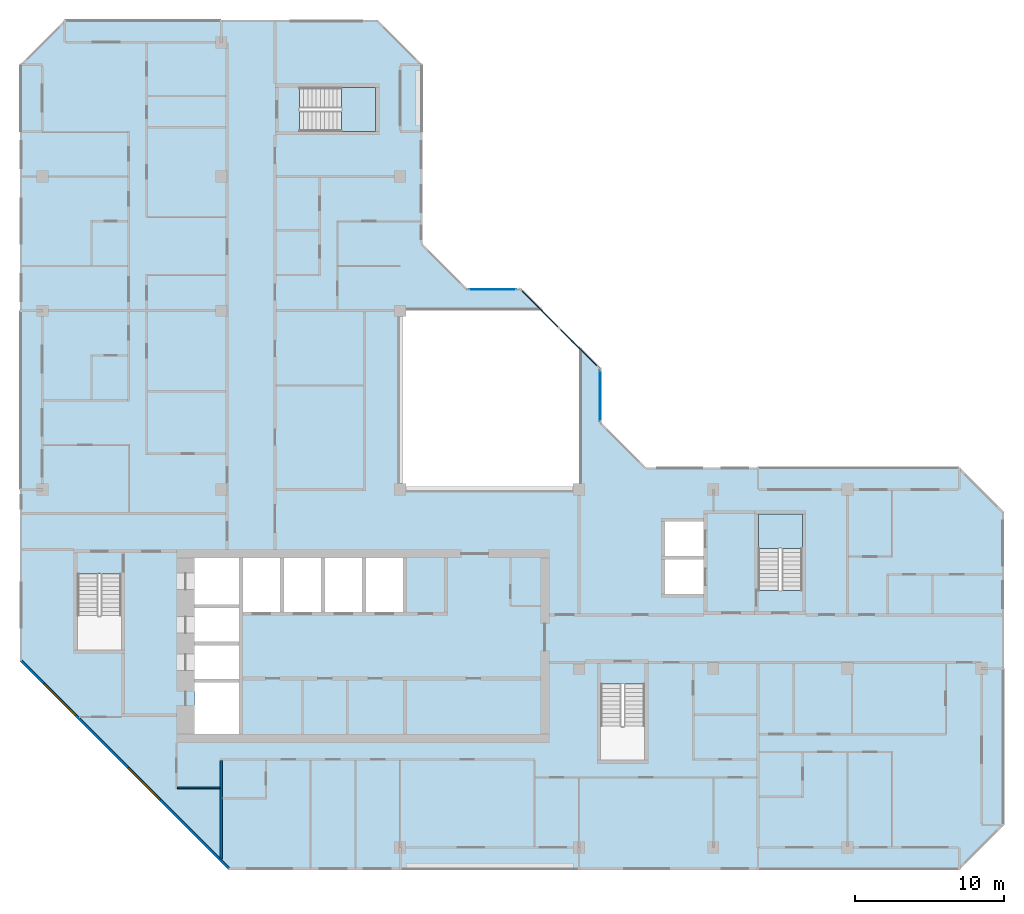
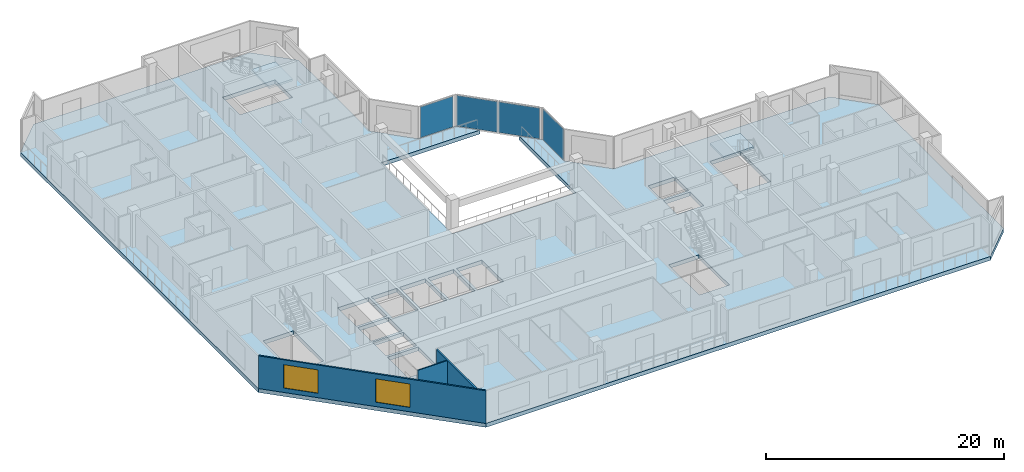
# One storey, part 3 of 13: 4 plates, 3 slabs, 3 walls, 2 windows, 2 openings, 5 elements without a shape of their own.
"""IFC4 building model written with IfcOpenShell, lengths in metres."""

import ifcopenshell
import ifcopenshell.guid

model = None  # the IFC model being written
_history = None  # IfcOwnerHistory: only IFC2X3 demands one
_inside = {}  # id of a spatial element -> (the spatial element, [elements in it])
_under = {}  # id of a project, library or spatial element -> (it, [spatial elements below it])
_declared = {}  # id of a project -> (the project, [libraries it declares])
_typed = {}  # id of a type object -> (the type object, [elements of that type])
_made_of = {}  # id of a material, layer set ... -> (it, [elements and type objects made of it])


def new_model(schema):
    """Start an empty IFC model of exactly this schema.

    Asked for "IFC4X3", IfcOpenShell would pick the latest addendum, in which some entities
    have other attributes; the version numbers below select the first issue.
    IFC2X3 requires an IfcOwnerHistory on every rooted entity: one is made here for all.
    """
    global model, _history
    if schema == "IFC4X3":
        model = ifcopenshell.file(schema_version=(4, 3, 0, 0))
    else:
        model = ifcopenshell.file(schema=schema)
    _inside.clear()
    _under.clear()
    _declared.clear()
    _typed.clear()
    _made_of.clear()
    _history = None
    if model.schema == "IFC2X3":
        org = make("IfcOrganization", Name="unknown")
        user = make(
            "IfcPersonAndOrganization",
            ThePerson=make("IfcPerson", FamilyName="unknown"),
            TheOrganization=org,
        )
        app = make(
            "IfcApplication",
            ApplicationDeveloper=org,
            Version="unknown",
            ApplicationFullName="unknown",
            ApplicationIdentifier="unknown",
        )
        _history = make(
            "IfcOwnerHistory",
            OwningUser=user,
            OwningApplication=app,
            ChangeAction="ADDED",
            CreationDate=0,
        )
    return model


def make(cls, **values):
    """One entity of the class cls with the attributes given. An attribute that is None is left unset."""
    return model.create_entity(
        cls, **{name: value for name, value in values.items() if value is not None}
    )


def rooted(cls, **values):
    """An entity with a GlobalId (a new one), such as an element, a storey or a relation."""
    return make(cls, GlobalId=ifcopenshell.guid.new(), OwnerHistory=_history, **values)


def si_unit(unit_type, name, prefix=None):
    """IfcSIUnit, for example si_unit("LENGTHUNIT", "METRE", prefix="MILLI")."""
    return make("IfcSIUnit", UnitType=unit_type, Prefix=prefix, Name=name)


def assignment(units):
    """IfcUnitAssignment: the units of a project."""
    return None if units is None else make("IfcUnitAssignment", Units=units)


def point(xyz):
    """IfcCartesianPoint."""
    return None if xyz is None else make("IfcCartesianPoint", Coordinates=xyz)


def direction(xyz):
    """IfcDirection."""
    return None if xyz is None else make("IfcDirection", DirectionRatios=xyz)


def frame(location, z_axis=None, x_axis=None):
    """IfcAxis2Placement3D, a coordinate frame: its origin and axes. An axis left out is left unset."""
    return make(
        "IfcAxis2Placement3D",
        Location=point(location),
        Axis=direction(z_axis),
        RefDirection=direction(x_axis),
    )


def frame_2d(location, x_axis=None):
    """IfcAxis2Placement2D, a coordinate frame in the plane: its origin and x axis."""
    return make(
        "IfcAxis2Placement2D", Location=point(location), RefDirection=direction(x_axis)
    )


def origin():
    """The frame at (0, 0, 0) with its axes left unset."""
    return frame((0.0, 0.0, 0.0))


def origin_2d():
    """The frame at (0, 0) in the plane with its x axis left unset."""
    return frame_2d((0.0, 0.0))


def place(relative_to, where):
    """IfcLocalPlacement: puts the frame where relative to a parent placement (None: the world)."""
    return make(
        "IfcLocalPlacement", PlacementRelTo=relative_to, RelativePlacement=where
    )


def context(
    kind, dimensions, precision=None, world=None, true_north=None, identifier=None
):
    """IfcGeometricRepresentationContext, for example the 3D "Model" context."""
    return make(
        "IfcGeometricRepresentationContext",
        ContextIdentifier=identifier,
        ContextType=kind,
        CoordinateSpaceDimension=dimensions,
        Precision=precision,
        WorldCoordinateSystem=world,
        TrueNorth=true_north,
    )


def subcontext(parent, identifier, kind, view, scale=None):
    """IfcGeometricRepresentationSubContext, for example "Body" below "Model"."""
    return make(
        "IfcGeometricRepresentationSubContext",
        ContextIdentifier=identifier,
        ContextType=kind,
        ParentContext=parent,
        TargetScale=scale,
        TargetView=view,
    )


def project(units=None, contexts=None):
    """IfcProject with its units and contexts."""
    return rooted(
        "IfcProject",
        Name="project",
        RepresentationContexts=contexts,
        UnitsInContext=assignment(units),
    )


def spatial(cls, under=None, at=None, **own):
    """A site, building, storey or space (cls), placed at a placement, below another one or the project."""
    s = rooted(cls, ObjectPlacement=at, **own)
    if under is not None:
        _under.setdefault(under.id(), (under, []))[1].append(s)
    return s


def polyline(points):
    """IfcPolyline through the points."""
    return make("IfcPolyline", Points=[point(p) for p in points])


def profile(cls, at=None, kind="AREA", **sizes):
    """A parametric profile (cls). Its sizes go by their IFC names, for example OverallWidth=200.0."""
    return make(cls, ProfileType=kind, Position=at, **sizes)


def rectangle(**sizes):
    """IfcRectangleProfileDef."""
    return profile("IfcRectangleProfileDef", **sizes)


def outline(outer, holes=None, kind="AREA"):
    """IfcArbitraryClosedProfileDef: a profile drawn as a closed curve; with holes, ...WithVoids."""
    if holes is None:
        return make("IfcArbitraryClosedProfileDef", ProfileType=kind, OuterCurve=outer)
    return make(
        "IfcArbitraryProfileDefWithVoids",
        ProfileType=kind,
        OuterCurve=outer,
        InnerCurves=holes,
    )


def extrude(swept, where, along, depth):
    """IfcExtrudedAreaSolid: the profile swept, set in the frame where, extruded along a direction by depth."""
    return make(
        "IfcExtrudedAreaSolid",
        SweptArea=swept,
        Position=where,
        ExtrudedDirection=direction(along),
        Depth=depth,
    )


def shape(context_of_items, identifier, shape_type, items):
    """IfcShapeRepresentation: the items that make up one representation, for example the "Body"."""
    return make(
        "IfcShapeRepresentation",
        ContextOfItems=context_of_items,
        RepresentationIdentifier=identifier,
        RepresentationType=shape_type,
        Items=items,
    )


def material(Name=None, Category=None):
    """IfcMaterial."""
    return make("IfcMaterial", Name=Name, Category=Category)


def layer(
    of_material, thickness, ventilated=None, Name=None, Category=None, Priority=None
):
    """IfcMaterialLayer: one layer of a wall or slab, of a material (None: an air gap)."""
    return make(
        "IfcMaterialLayer",
        Material=of_material,
        LayerThickness=thickness,
        IsVentilated=ventilated,
        Name=Name,
        Category=Category,
        Priority=Priority,
    )


def layer_set(layers, Name=None):
    """IfcMaterialLayerSet."""
    return make("IfcMaterialLayerSet", MaterialLayers=layers, LayerSetName=Name)


def made_of(thing, what):
    """Note that an element or type object is made of a material, layer set ...; save() writes the relation."""
    if what is not None:
        _made_of.setdefault(what.id(), (what, []))[1].append(thing)
    return thing


def type_object(cls, material=None, **own):
    """A type object (cls), such as IfcWallType, which elements share."""
    return made_of(rooted(cls, **own), material)


def element(
    cls,
    number,
    at=None,
    inside=None,
    cuts=None,
    type_object=None,
    material=None,
    context=None,
    identifier="Body",
    shape_type=None,
    held_by="IfcProductDefinitionShape",
    body=None,
    shapes=None,
    **own,
):
    """One element of the class cls, such as IfcWall. Its Tag is "e" and its number.

    at: its placement. inside: the storey or other place that contains it. cuts: it is an
    opening in that element (IfcRelVoidsElement). A single representation is given by context,
    identifier, shape_type and body (its items); several are given by shapes. held_by: the class
    of the entity that holds the representations. save() writes the other relations.
    """
    e = rooted(cls, Tag="e%d" % number, ObjectPlacement=at, **own)
    if body is not None:
        shapes = [shape(context, identifier, shape_type, body)]
    if shapes is not None:
        e.Representation = make(held_by, Representations=shapes)
    if inside is not None:
        _inside.setdefault(inside.id(), (inside, []))[1].append(e)
    if cuts is not None:
        rooted(
            "IfcRelVoidsElement", RelatingBuildingElement=cuts, RelatedOpeningElement=e
        )
    if type_object is not None:
        _typed.setdefault(type_object.id(), (type_object, []))[1].append(e)
    return made_of(e, material)


def fill(opening, filler):
    """IfcRelFillsElement: the door or window that sits in an opening."""
    return rooted(
        "IfcRelFillsElement",
        RelatingOpeningElement=opening,
        RelatedBuildingElement=filler,
    )


def aggregate(whole, parts):
    """IfcRelAggregates: a whole, such as a stair, and the parts it consists of."""
    return rooted("IfcRelAggregates", RelatingObject=whole, RelatedObjects=parts)


def save(model, path):
    """Write the relations noted so far, then the file.

    IfcRelAggregates (storeys below a building ...), IfcRelContainedInSpatialStructure (elements
    in a storey), IfcRelDefinesByType, IfcRelAssociatesMaterial and IfcRelDeclares: one each for
    every whole, place, type object, material and project.
    """
    for whole, parts in _under.values():
        aggregate(whole, parts)
    for where, things in _inside.values():
        rooted(
            "IfcRelContainedInSpatialStructure",
            RelatedElements=things,
            RelatingStructure=where,
        )
    for kind, things in _typed.values():
        rooted("IfcRelDefinesByType", RelatedObjects=things, RelatingType=kind)
    for what, things in _made_of.values():
        rooted("IfcRelAssociatesMaterial", RelatedObjects=things, RelatingMaterial=what)
    for by, libraries in _declared.values():
        rooted("IfcRelDeclares", RelatingContext=by, RelatedDefinitions=libraries)
    model.write(path)


model = new_model("IFC4")

# Units and contexts
model_context = context("Model", 3, precision=1e-05, world=origin(), true_north=direction((0.0, 1.0)))
body_context = subcontext(model_context, "Body", "Model", "MODEL_VIEW")
ifc_project = project(units=[si_unit("LENGTHUNIT", "METRE"), si_unit("AREAUNIT", "SQUARE_METRE"), si_unit("VOLUMEUNIT", "CUBIC_METRE"), si_unit("PLANEANGLEUNIT", "RADIAN"), si_unit("MASSUNIT", "GRAM", prefix="KILO")], contexts=[model_context])

# Site, building, storey
site_placement = place(None, origin())
site = spatial("IfcSite", under=ifc_project, at=site_placement, CompositionType="ELEMENT")
building_placement = place(site_placement, origin())
building = spatial("IfcBuilding", under=site, at=building_placement, Name="Chenar Terraces", CompositionType="ELEMENT")
storey_placement = place(building_placement, frame((0.0, 0.0, 307.14990234375)))
storey = spatial("IfcBuildingStorey", under=building, at=storey_placement, Name="L72", CompositionType="ELEMENT", Elevation=307.14990234375)

# Curtain wall, plate
ifc_material_1 = material(Name="Aluminium framed glazing", Category="aluminium")
ifc_layer_1 = layer(ifc_material_1, 0.14990234375)
ifc_layer_set_1 = layer_set([ifc_layer_1], Name="Aluminium framed glazing")
curtain_wall_type = type_object("IfcCurtainWallType", Name="Atrium upper-zone curtain wall", PredefinedType="NOTDEFINED", material=ifc_layer_set_1)
placement_1 = place(storey_placement, origin())
curtain_wall_1 = element("IfcCurtainWall", 1, at=placement_1, inside=storey, type_object=curtain_wall_type, Name="Atrium upper-zone curtain wall", PredefinedType="NOTDEFINED")
ifc_material_2 = material(Name="Low emissivity laminated glass, solar control coating", Category="glass")
ifc_layer_2 = layer(ifc_material_2, 0.050048828125)
ifc_layer_set_2 = layer_set([ifc_layer_2], Name="Low emissivity laminated glass, solar control coating")
plate_type = type_object("IfcPlateType", Name="Atrium upper-zone glazing panel 50", PredefinedType="CURTAIN_PANEL", material=ifc_layer_set_2)
plate_1_placement = place(storey_placement, frame((37.425048828125, 30.300048828125, 0.10009765625), z_axis=(0.0, 0.0, 1.0), x_axis=(0.0, 1.0, 0.0)))
plate_1 = element("IfcPlate", 2, at=plate_1_placement, type_object=plate_type, Name="CW8-1 panel 1.1", PredefinedType="CURTAIN_PANEL", context=body_context, shape_type="SweptSolid", body=[
    extrude(rectangle(XDim=3.39990234375, YDim=0.050048828125, at=origin_2d()), origin(), (0.0, 0.0, 1.0), 3.14990234375),
])
aggregate(curtain_wall_1, [plate_1])

# Curtain wall, plates
curtain_wall_2 = element("IfcCurtainWall", 3, at=placement_1, inside=storey, type_object=curtain_wall_type, Name="Atrium upper-zone curtain wall", PredefinedType="NOTDEFINED")
plate_2_placement = place(storey_placement, frame((35.97314453125, 33.520751953125, 0.10009765625), z_axis=(0.0, 0.0, 1.0), x_axis=(-0.707106781187, 0.707106781187, 0.0)))
plate_2 = element("IfcPlate", 4, at=plate_2_placement, type_object=plate_type, Name="CW8-2 panel 1.1", PredefinedType="CURTAIN_PANEL", context=body_context, shape_type="SweptSolid", body=[
    extrude(rectangle(XDim=3.568359375, YDim=0.050048828125, at=origin_2d()), origin(), (0.0, 0.0, 1.0), 3.14990234375),
])
plate_3_placement = place(storey_placement, frame((33.379150390625, 36.11474609375, 0.10009765625), z_axis=(0.0, 0.0, 1.0), x_axis=(-0.707106781187, 0.707106781187, 0.0)))
plate_3 = element("IfcPlate", 5, at=plate_3_placement, type_object=plate_type, Name="CW8-2 panel 2.1", PredefinedType="CURTAIN_PANEL", context=body_context, shape_type="SweptSolid", body=[
    extrude(rectangle(XDim=3.568359375, YDim=0.050048828125, at=origin_2d()), origin(), (0.0, 0.0, 1.0), 3.14990234375),
])
aggregate(curtain_wall_2, [plate_2, plate_3])

# Curtain wall, plate
curtain_wall_3 = element("IfcCurtainWall", 6, at=placement_1, inside=storey, type_object=curtain_wall_type, Name="Atrium upper-zone curtain wall", PredefinedType="NOTDEFINED")
plate_4_placement = place(storey_placement, frame((30.199951171875, 37.425048828125, 0.10009765625), z_axis=(0.0, 0.0, 1.0), x_axis=(-1.0, 0.0, 0.0)))
plate_4 = element("IfcPlate", 7, at=plate_4_placement, type_object=plate_type, Name="CW8-3 panel 1.1", PredefinedType="CURTAIN_PANEL", context=body_context, shape_type="SweptSolid", body=[
    extrude(rectangle(XDim=3.199951171875, YDim=0.050048828125, at=origin_2d()), origin(), (0.0, 0.0, 1.0), 3.14990234375),
])
aggregate(curtain_wall_3, [plate_4])

# Stair, slab
ifc_material_3 = material(Name="Reinforced concrete C40/50", Category="concrete")
stair_type = type_object("IfcStairType", Name="Core stair 1400 half-turn", PredefinedType="HALF_TURN_STAIR", material=ifc_material_3)
stair_1 = element("IfcStair", 8, at=placement_1, inside=storey, type_object=stair_type, Name="L72 Stair 3", PredefinedType="HALF_TURN_STAIR")
ifc_material_4 = material(Name="Reinforced concrete C40/50", Category="concrete")
ifc_layer_3 = layer(ifc_material_4, 0.199951171875)
ifc_layer_set_3 = layer_set([ifc_layer_3], Name="Reinforced concrete C40/50")
slab_type_1 = type_object("IfcSlabType", Name="Core stair landing 200", PredefinedType="LANDING", material=ifc_layer_set_3)
placement_2 = place(storey_placement, frame((0.0, 0.0, 1.675048828125)))
slab_1 = element("IfcSlab", 9, at=placement_2, type_object=slab_type_1, Name="ST3 landing 1", PredefinedType="LANDING", context=body_context, shape_type="SweptSolid", body=[
    extrude(outline(polyline([(50.97509765625, 20.050048828125), (50.97509765625, 22.35009765625), (48.02490234375, 22.35009765625), (48.02490234375, 20.050048828125), (50.97509765625, 20.050048828125)])), origin(), (0.0, 0.0, 1.0), 0.199951171875),
])
aggregate(stair_1, [slab_1])

stair_2 = element("IfcStair", 10, at=placement_1, inside=storey, type_object=stair_type, Name="L72 Stair 4", PredefinedType="HALF_TURN_STAIR")
slab_2 = element("IfcSlab", 11, at=placement_2, type_object=slab_type_1, Name="ST4 landing 1", PredefinedType="LANDING", context=body_context, shape_type="SweptSolid", body=[
    extrude(outline(polyline([(20.050048828125, 48.02490234375), (22.35009765625, 48.02490234375), (22.35009765625, 50.97509765625), (20.050048828125, 50.97509765625), (20.050048828125, 48.02490234375)])), origin(), (0.0, 0.0, 1.0), 0.199951171875),
])
aggregate(stair_2, [slab_2])

# Slab
ifc_material_5 = material(Name="Concrete C40/50", Category="concrete")
ifc_layer_4 = layer(ifc_material_5, 0.39990234375)
ifc_layer_set_4 = layer_set([ifc_layer_4], Name="Concrete C40/50")
slab_type_2 = type_object("IfcSlabType", Name="Floor slab 400 Concrete C40/50", PredefinedType="FLOOR", material=ifc_layer_set_4)
slab_3_placement = place(storey_placement, frame((0.0, 0.0, -0.39990234375)))
element("IfcSlab", 12, at=slab_3_placement, inside=storey, type_object=slab_type_2, Name="Floor slab L72", PredefinedType="FLOOR", context=body_context, shape_type="SweptSolid", body=[
    extrude(outline(polyline([(64.5, 22.5), (64.5, 1.5), (61.5, -1.5), (12.5, -1.5), (-1.5, 12.5), (-1.5, 52.5), (1.5, 55.5), (22.5, 55.5), (25.5, 52.5), (25.5, 40.5), (28.5, 37.5), (32.10009765625, 37.5), (33.60009765625, 36.0), (24.0, 36.0), (24.0, 24.0), (36.0, 24.0), (36.0, 33.60009765625), (37.5, 32.10009765625), (37.5, 28.5), (40.5, 25.5), (61.5, 25.5), (64.5, 22.5)]), holes=[polyline([(10.199951171875, 11.050048828125), (10.199951171875, 7.60009765625), (13.199951171875, 7.60009765625), (13.199951171875, 11.050048828125), (10.199951171875, 11.050048828125)]), polyline([(13.199951171875, 13.550048828125), (10.199951171875, 13.550048828125), (10.199951171875, 11.300048828125), (13.199951171875, 11.300048828125), (13.199951171875, 13.550048828125)]), polyline([(13.199951171875, 16.050048828125), (10.199951171875, 16.050048828125), (10.199951171875, 13.800048828125), (13.199951171875, 13.800048828125), (13.199951171875, 16.050048828125)]), polyline([(2.35009765625, 13.25), (5.300048828125, 13.25), (5.300048828125, 18.35009765625), (2.35009765625, 18.35009765625), (2.35009765625, 13.25)]), polyline([(15.949951171875, 19.39990234375), (13.449951171875, 19.39990234375), (13.449951171875, 15.800048828125), (15.949951171875, 15.800048828125), (15.949951171875, 19.39990234375)]), polyline([(18.699951171875, 19.39990234375), (16.199951171875, 19.39990234375), (16.199951171875, 15.800048828125), (18.699951171875, 15.800048828125), (18.699951171875, 19.39990234375)]), polyline([(13.199951171875, 19.39990234375), (10.199951171875, 19.39990234375), (10.199951171875, 16.300048828125), (13.199951171875, 16.300048828125), (13.199951171875, 19.39990234375)]), polyline([(22.35009765625, 48.02490234375), (22.35009765625, 50.97509765625), (17.25, 50.97509765625), (17.25, 48.02490234375), (22.35009765625, 48.02490234375)]), polyline([(37.449951171875, 5.85009765625), (40.39990234375, 5.85009765625), (40.39990234375, 10.949951171875), (37.449951171875, 10.949951171875), (37.449951171875, 5.85009765625)]), polyline([(21.449951171875, 19.39990234375), (18.949951171875, 19.39990234375), (18.949951171875, 15.800048828125), (21.449951171875, 15.800048828125), (21.449951171875, 19.39990234375)]), polyline([(24.199951171875, 19.39990234375), (21.699951171875, 19.39990234375), (21.699951171875, 15.800048828125), (24.199951171875, 15.800048828125), (24.199951171875, 19.39990234375)]), polyline([(44.35009765625, 19.300048828125), (41.75, 19.300048828125), (41.75, 17.0), (44.35009765625, 17.0), (44.35009765625, 19.300048828125)]), polyline([(50.97509765625, 22.35009765625), (48.02490234375, 22.35009765625), (48.02490234375, 17.25), (50.97509765625, 17.25), (50.97509765625, 22.35009765625)]), polyline([(44.35009765625, 21.85009765625), (41.75, 21.85009765625), (41.75, 19.550048828125), (44.35009765625, 19.550048828125), (44.35009765625, 21.85009765625)])]), origin(), (0.0, 0.0, 1.0), 0.39990234375),
])

# Wall
ifc_material_6 = material(Name="Gypsum board on steel studs", Category="steel")
ifc_layer_5 = layer(ifc_material_6, 0.10009765625)
ifc_layer_set_5 = layer_set([ifc_layer_5], Name="Gypsum board on steel studs")
wall_type_1 = type_object("IfcWallType", Name="Gypsum partition 100", PredefinedType="PARTITIONING", material=ifc_layer_set_5)
wall_1_placement = place(storey_placement, frame((9.050048828125, 4.0, 0.0), z_axis=(0.0, 0.0, 1.0), x_axis=(1.0, 0.0, 0.0)))
element("IfcWall", 13, at=wall_1_placement, inside=storey, type_object=wall_type_1, Name="Partition L72-027", PredefinedType="PARTITIONING", context=body_context, shape_type="SweptSolid", body=[
    extrude(rectangle(XDim=2.875, YDim=0.10009765625, at=frame_2d((1.4375, 0.0))), origin(), (0.0, 0.0, 1.0), 3.35009765625),
])

# Wall, openings, windows
ifc_material_7 = material(Name="Terracotta cladding on insulated backing", Category="masonry")
ifc_layer_6 = layer(ifc_material_7, 0.14990234375)
ifc_layer_set_6 = layer_set([ifc_layer_6], Name="Terracotta cladding on insulated backing")
wall_type_2 = type_object("IfcWallType", Name="Terracotta rainscreen wall 150", PredefinedType="SOLIDWALL", material=ifc_layer_set_6)
wall_2_placement = place(storey_placement, frame((-1.447021484375, 12.552978515625, 0.0), z_axis=(0.0, 0.0, 1.0), x_axis=(0.707106781187, -0.707106781187, 0.0)))
wall_2 = element("IfcWall", 14, at=wall_2_placement, inside=storey, type_object=wall_type_2, Name="Terracotta rainscreen wall", PredefinedType="SOLIDWALL", context=body_context, shape_type="SweptSolid", body=[
    extrude(rectangle(XDim=19.799072265625, YDim=0.14990234375, at=frame_2d((9.8994140625, 0.0))), origin(), (0.0, 0.0, 1.0), 3.35009765625),
])
opening_1_placement = place(wall_2_placement, frame((2.21240234375, 0.0, 0.449951171875)))
opening_1 = element("IfcOpeningElement", 15, at=opening_1_placement, cuts=wall_2, Name="Opening W300x240", PredefinedType="OPENING", context=body_context, shape_type="SweptSolid", body=[
    extrude(rectangle(XDim=3.0, YDim=2.39990234375, at=frame_2d((1.5, 1.199951171875))), frame((0.0, 0.0849609375, 0.0), z_axis=(0.0, -1.0, 0.0), x_axis=(1.0, 0.0, 0.0)), (0.0, 0.0, 1.0), 0.169921875),
])
opening_2_placement = place(wall_2_placement, frame((10.215576171875, 0.0, 0.449951171875)))
opening_2 = element("IfcOpeningElement", 16, at=opening_2_placement, cuts=wall_2, Name="Opening W300x240", PredefinedType="OPENING", context=body_context, shape_type="SweptSolid", body=[
    extrude(rectangle(XDim=3.0, YDim=2.39990234375, at=frame_2d((1.5, 1.199951171875))), frame((0.0, 0.0849609375, 0.0), z_axis=(0.0, -1.0, 0.0), x_axis=(1.0, 0.0, 0.0)), (0.0, 0.0, 1.0), 0.169921875),
])
ifc_material_8 = material(Name="Low emissivity double glazing, aluminium frame", Category="aluminium")
window_type = type_object("IfcWindowType", Name="Fixed light 3000 x 2400", PartitioningType="SINGLE_PANEL", PredefinedType="WINDOW", material=ifc_material_8)
window_1_placement = place(opening_1_placement, origin())
window_1 = element("IfcWindow", 17, at=window_1_placement, inside=storey, type_object=window_type, Name="Window", OverallHeight=2.39990234375, OverallWidth=3.0, PartitioningType="SINGLE_PANEL", PredefinedType="WINDOW", context=body_context, shape_type="SweptSolid", body=[
    extrude(rectangle(XDim=3.0, YDim=2.39990234375, at=frame_2d((1.5, 1.199951171875))), frame((0.0, 0.030029296875, 0.0), z_axis=(0.0, -1.0, 0.0), x_axis=(1.0, 0.0, 0.0)), (0.0, 0.0, 1.0), 0.06005859375),
])
fill(opening_1, window_1)
window_2_placement = place(opening_2_placement, origin())
window_2 = element("IfcWindow", 18, at=window_2_placement, inside=storey, type_object=window_type, Name="Window", OverallHeight=2.39990234375, OverallWidth=3.0, PartitioningType="SINGLE_PANEL", PredefinedType="WINDOW", context=body_context, shape_type="SweptSolid", body=[
    extrude(rectangle(XDim=3.0, YDim=2.39990234375, at=frame_2d((1.5, 1.199951171875))), frame((0.0, 0.030029296875, 0.0), z_axis=(0.0, -1.0, 0.0), x_axis=(1.0, 0.0, 0.0)), (0.0, 0.0, 1.0), 0.06005859375),
])
fill(opening_2, window_2)

# Wall
ifc_material_9 = material(Name="Moisture-resistant gypsum board on steel studs", Category="steel")
ifc_layer_7 = layer(ifc_material_9, 0.14990234375)
ifc_layer_set_7 = layer_set([ifc_layer_7], Name="Moisture-resistant gypsum board on steel studs")
wall_type_3 = type_object("IfcWallType", Name="Wet-room partition 150", PredefinedType="PARTITIONING", material=ifc_layer_set_7)
wall_3_placement = place(storey_placement, frame((12.0, -0.787841796875, 0.0), z_axis=(0.0, 0.0, 1.0), x_axis=(0.0, 1.0, 0.0)))
element("IfcWall", 19, at=wall_3_placement, inside=storey, type_object=wall_type_3, Name="Partition L72-029", PredefinedType="PARTITIONING", context=body_context, shape_type="SweptSolid", body=[
    extrude(rectangle(XDim=6.61279296875, YDim=0.14990234375, at=frame_2d((3.306396484375, 0.0))), origin(), (0.0, 0.0, 1.0), 3.35009765625),
])

save(model, "model.ifc")
